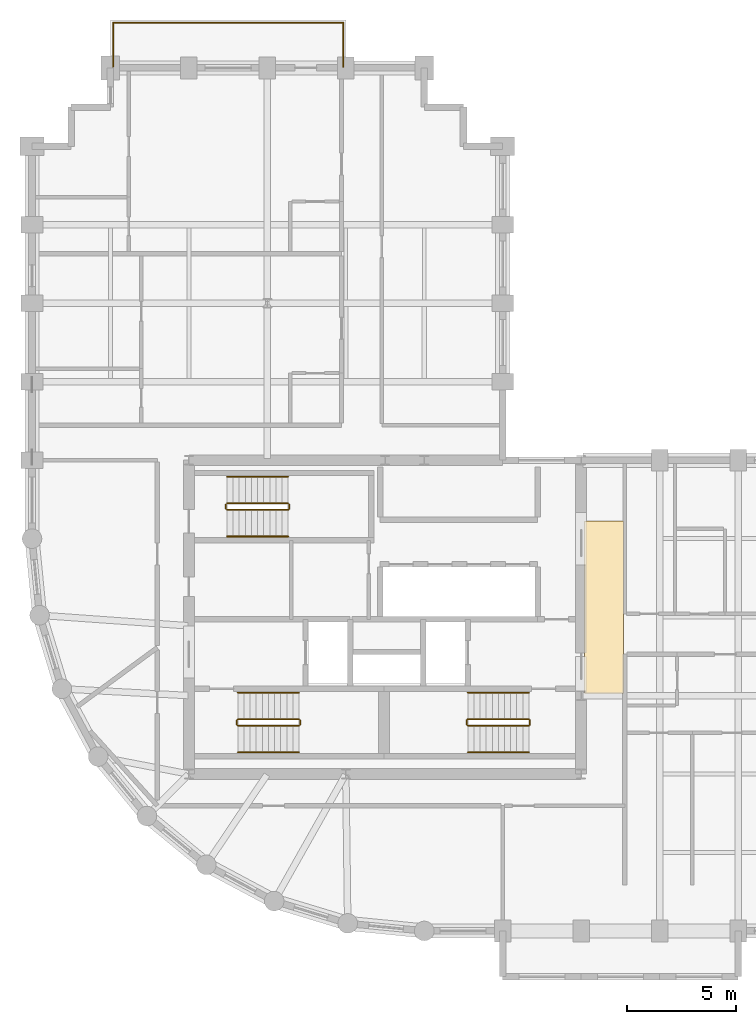
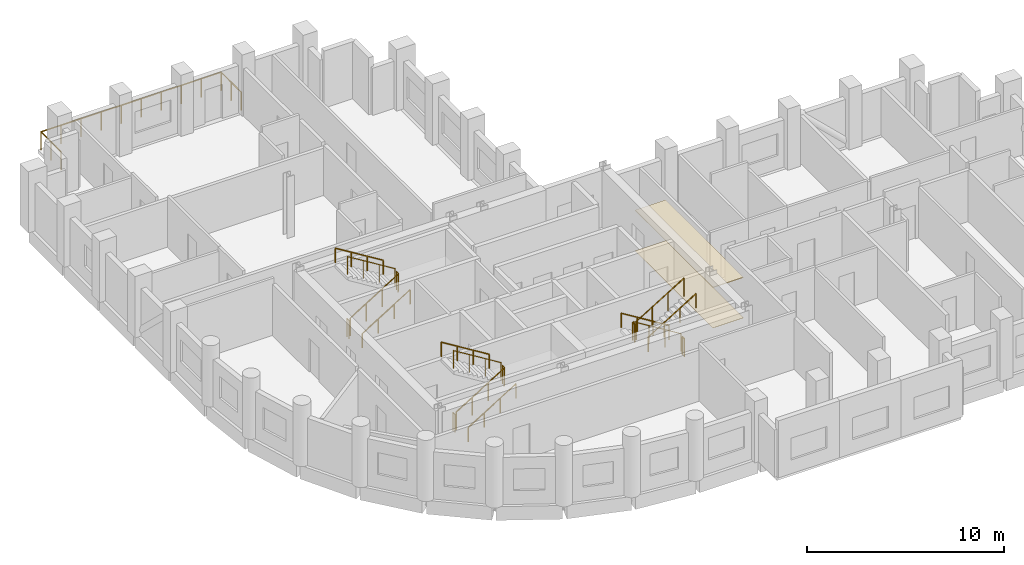
# One storey, part 9 of 9: 21 railings, 2 coverings.
"""IFC4 building model written with IfcOpenShell, lengths in metres."""

import ifcopenshell
import ifcopenshell.guid

model = None  # the IFC model being written
_history = None  # IfcOwnerHistory: only IFC2X3 demands one
_inside = {}  # id of a spatial element -> (the spatial element, [elements in it])
_under = {}  # id of a project, library or spatial element -> (it, [spatial elements below it])
_declared = {}  # id of a project -> (the project, [libraries it declares])
_typed = {}  # id of a type object -> (the type object, [elements of that type])
_made_of = {}  # id of a material, layer set ... -> (it, [elements and type objects made of it])


def new_model(schema):
    """Start an empty IFC model of exactly this schema.

    Asked for "IFC4X3", IfcOpenShell would pick the latest addendum, in which some entities
    have other attributes; the version numbers below select the first issue.
    IFC2X3 requires an IfcOwnerHistory on every rooted entity: one is made here for all.
    """
    global model, _history
    if schema == "IFC4X3":
        model = ifcopenshell.file(schema_version=(4, 3, 0, 0))
    else:
        model = ifcopenshell.file(schema=schema)
    _inside.clear()
    _under.clear()
    _declared.clear()
    _typed.clear()
    _made_of.clear()
    _history = None
    if model.schema == "IFC2X3":
        org = make("IfcOrganization", Name="unknown")
        user = make(
            "IfcPersonAndOrganization",
            ThePerson=make("IfcPerson", FamilyName="unknown"),
            TheOrganization=org,
        )
        app = make(
            "IfcApplication",
            ApplicationDeveloper=org,
            Version="unknown",
            ApplicationFullName="unknown",
            ApplicationIdentifier="unknown",
        )
        _history = make(
            "IfcOwnerHistory",
            OwningUser=user,
            OwningApplication=app,
            ChangeAction="ADDED",
            CreationDate=0,
        )
    return model


def make(cls, **values):
    """One entity of the class cls with the attributes given. An attribute that is None is left unset."""
    return model.create_entity(
        cls, **{name: value for name, value in values.items() if value is not None}
    )


def rooted(cls, **values):
    """An entity with a GlobalId (a new one), such as an element, a storey or a relation."""
    return make(cls, GlobalId=ifcopenshell.guid.new(), OwnerHistory=_history, **values)


def si_unit(unit_type, name, prefix=None):
    """IfcSIUnit, for example si_unit("LENGTHUNIT", "METRE", prefix="MILLI")."""
    return make("IfcSIUnit", UnitType=unit_type, Prefix=prefix, Name=name)


def assignment(units):
    """IfcUnitAssignment: the units of a project."""
    return None if units is None else make("IfcUnitAssignment", Units=units)


def point(xyz):
    """IfcCartesianPoint."""
    return None if xyz is None else make("IfcCartesianPoint", Coordinates=xyz)


def direction(xyz):
    """IfcDirection."""
    return None if xyz is None else make("IfcDirection", DirectionRatios=xyz)


def frame(location, z_axis=None, x_axis=None):
    """IfcAxis2Placement3D, a coordinate frame: its origin and axes. An axis left out is left unset."""
    return make(
        "IfcAxis2Placement3D",
        Location=point(location),
        Axis=direction(z_axis),
        RefDirection=direction(x_axis),
    )


def frame_2d(location, x_axis=None):
    """IfcAxis2Placement2D, a coordinate frame in the plane: its origin and x axis."""
    return make(
        "IfcAxis2Placement2D", Location=point(location), RefDirection=direction(x_axis)
    )


def origin():
    """The frame at (0, 0, 0) with its axes left unset."""
    return frame((0.0, 0.0, 0.0))


def origin_2d():
    """The frame at (0, 0) in the plane with its x axis left unset."""
    return frame_2d((0.0, 0.0))


def place(relative_to, where):
    """IfcLocalPlacement: puts the frame where relative to a parent placement (None: the world)."""
    return make(
        "IfcLocalPlacement", PlacementRelTo=relative_to, RelativePlacement=where
    )


def context(
    kind, dimensions, precision=None, world=None, true_north=None, identifier=None
):
    """IfcGeometricRepresentationContext, for example the 3D "Model" context."""
    return make(
        "IfcGeometricRepresentationContext",
        ContextIdentifier=identifier,
        ContextType=kind,
        CoordinateSpaceDimension=dimensions,
        Precision=precision,
        WorldCoordinateSystem=world,
        TrueNorth=true_north,
    )


def subcontext(parent, identifier, kind, view, scale=None):
    """IfcGeometricRepresentationSubContext, for example "Body" below "Model"."""
    return make(
        "IfcGeometricRepresentationSubContext",
        ContextIdentifier=identifier,
        ContextType=kind,
        ParentContext=parent,
        TargetScale=scale,
        TargetView=view,
    )


def project(units=None, contexts=None):
    """IfcProject with its units and contexts."""
    return rooted(
        "IfcProject",
        Name="project",
        RepresentationContexts=contexts,
        UnitsInContext=assignment(units),
    )


def spatial(cls, under=None, at=None, **own):
    """A site, building, storey or space (cls), placed at a placement, below another one or the project."""
    s = rooted(cls, ObjectPlacement=at, **own)
    if under is not None:
        _under.setdefault(under.id(), (under, []))[1].append(s)
    return s


def polyline(points):
    """IfcPolyline through the points."""
    return make("IfcPolyline", Points=[point(p) for p in points])


def profile(cls, at=None, kind="AREA", **sizes):
    """A parametric profile (cls). Its sizes go by their IFC names, for example OverallWidth=200.0."""
    return make(cls, ProfileType=kind, Position=at, **sizes)


def circle(**sizes):
    """IfcCircleProfileDef."""
    return profile("IfcCircleProfileDef", **sizes)


def outline(outer, holes=None, kind="AREA"):
    """IfcArbitraryClosedProfileDef: a profile drawn as a closed curve; with holes, ...WithVoids."""
    if holes is None:
        return make("IfcArbitraryClosedProfileDef", ProfileType=kind, OuterCurve=outer)
    return make(
        "IfcArbitraryProfileDefWithVoids",
        ProfileType=kind,
        OuterCurve=outer,
        InnerCurves=holes,
    )


def extrude(swept, where, along, depth):
    """IfcExtrudedAreaSolid: the profile swept, set in the frame where, extruded along a direction by depth."""
    return make(
        "IfcExtrudedAreaSolid",
        SweptArea=swept,
        Position=where,
        ExtrudedDirection=direction(along),
        Depth=depth,
    )


def shape(context_of_items, identifier, shape_type, items):
    """IfcShapeRepresentation: the items that make up one representation, for example the "Body"."""
    return make(
        "IfcShapeRepresentation",
        ContextOfItems=context_of_items,
        RepresentationIdentifier=identifier,
        RepresentationType=shape_type,
        Items=items,
    )


def material(Name=None, Category=None):
    """IfcMaterial."""
    return make("IfcMaterial", Name=Name, Category=Category)


def layer(
    of_material, thickness, ventilated=None, Name=None, Category=None, Priority=None
):
    """IfcMaterialLayer: one layer of a wall or slab, of a material (None: an air gap)."""
    return make(
        "IfcMaterialLayer",
        Material=of_material,
        LayerThickness=thickness,
        IsVentilated=ventilated,
        Name=Name,
        Category=Category,
        Priority=Priority,
    )


def layer_set(layers, Name=None):
    """IfcMaterialLayerSet."""
    return make("IfcMaterialLayerSet", MaterialLayers=layers, LayerSetName=Name)


def made_of(thing, what):
    """Note that an element or type object is made of a material, layer set ...; save() writes the relation."""
    if what is not None:
        _made_of.setdefault(what.id(), (what, []))[1].append(thing)
    return thing


def type_object(cls, material=None, **own):
    """A type object (cls), such as IfcWallType, which elements share."""
    return made_of(rooted(cls, **own), material)


def element(
    cls,
    number,
    at=None,
    inside=None,
    cuts=None,
    type_object=None,
    material=None,
    context=None,
    identifier="Body",
    shape_type=None,
    held_by="IfcProductDefinitionShape",
    body=None,
    shapes=None,
    **own,
):
    """One element of the class cls, such as IfcWall. Its Tag is "e" and its number.

    at: its placement. inside: the storey or other place that contains it. cuts: it is an
    opening in that element (IfcRelVoidsElement). A single representation is given by context,
    identifier, shape_type and body (its items); several are given by shapes. held_by: the class
    of the entity that holds the representations. save() writes the other relations.
    """
    e = rooted(cls, Tag="e%d" % number, ObjectPlacement=at, **own)
    if body is not None:
        shapes = [shape(context, identifier, shape_type, body)]
    if shapes is not None:
        e.Representation = make(held_by, Representations=shapes)
    if inside is not None:
        _inside.setdefault(inside.id(), (inside, []))[1].append(e)
    if cuts is not None:
        rooted(
            "IfcRelVoidsElement", RelatingBuildingElement=cuts, RelatedOpeningElement=e
        )
    if type_object is not None:
        _typed.setdefault(type_object.id(), (type_object, []))[1].append(e)
    return made_of(e, material)


def aggregate(whole, parts):
    """IfcRelAggregates: a whole, such as a stair, and the parts it consists of."""
    return rooted("IfcRelAggregates", RelatingObject=whole, RelatedObjects=parts)


def save(model, path):
    """Write the relations noted so far, then the file.

    IfcRelAggregates (storeys below a building ...), IfcRelContainedInSpatialStructure (elements
    in a storey), IfcRelDefinesByType, IfcRelAssociatesMaterial and IfcRelDeclares: one each for
    every whole, place, type object, material and project.
    """
    for whole, parts in _under.values():
        aggregate(whole, parts)
    for where, things in _inside.values():
        rooted(
            "IfcRelContainedInSpatialStructure",
            RelatedElements=things,
            RelatingStructure=where,
        )
    for kind, things in _typed.values():
        rooted("IfcRelDefinesByType", RelatedObjects=things, RelatingType=kind)
    for what, things in _made_of.values():
        rooted("IfcRelAssociatesMaterial", RelatedObjects=things, RelatingMaterial=what)
    for by, libraries in _declared.values():
        rooted("IfcRelDeclares", RelatingContext=by, RelatedDefinitions=libraries)
    model.write(path)


model = new_model("IFC4")

# Units and contexts
model_context = context("Model", 3, precision=1e-05, world=origin(), true_north=direction((0.0, 1.0)))
body_context = subcontext(model_context, "Body", "Model", "MODEL_VIEW")
ifc_project = project(units=[si_unit("LENGTHUNIT", "METRE"), si_unit("AREAUNIT", "SQUARE_METRE"), si_unit("VOLUMEUNIT", "CUBIC_METRE"), si_unit("PLANEANGLEUNIT", "RADIAN"), si_unit("MASSUNIT", "GRAM", prefix="KILO")], contexts=[model_context])

# Site, building, storey
site_placement = place(None, origin())
site = spatial("IfcSite", under=ifc_project, at=site_placement, CompositionType="ELEMENT")
building_placement = place(site_placement, origin())
building = spatial("IfcBuilding", under=site, at=building_placement, Name="Solnavia Interchange Tower", CompositionType="ELEMENT")
storey_placement = place(building_placement, frame((0.0, 0.0, 131.39990234375)))
storey = spatial("IfcBuildingStorey", under=building, at=storey_placement, Name="L32", CompositionType="ELEMENT", Elevation=131.39990234375)

# Coverings
ifc_material_1 = material(Name="Perforated Mineral-Fibre & Gypsum Ceiling", Category="gypsum")
ifc_layer_1 = layer(ifc_material_1, 0.0400390625)
ifc_layer_set_1 = layer_set([ifc_layer_1], Name="Perforated Mineral-Fibre & Gypsum Ceiling")
covering_type_1 = type_object("IfcCoveringType", Name="Covering-Ceiling-Acoustic40", PredefinedType="CEILING", material=ifc_layer_set_1)
covering_1_placement = place(storey_placement, frame((0.0, 0.0, 2.5)))
element("IfcCovering", 1, at=covering_1_placement, inside=storey, type_object=covering_type_1, Name="CLG-L32-01 Circulation suspended acoustic ceiling", PredefinedType="CEILING", context=body_context, shape_type="SweptSolid", body=[
    extrude(outline(polyline([(32.550048828125, 14.5), (34.35009765625, 14.5), (34.35009765625, 22.39990234375), (32.550048828125, 22.39990234375), (32.550048828125, 14.5)])), origin(), (0.0, 0.0, 1.0), 0.0400390625),
])
ifc_material_2 = material(Name="Engineered European Oak Flooring", Category="wood")
ifc_layer_2 = layer(ifc_material_2, 0.02001953125)
ifc_layer_set_2 = layer_set([ifc_layer_2], Name="Engineered European Oak Flooring")
covering_type_2 = type_object("IfcCoveringType", Name="Covering-Flooring-Timber20", PredefinedType="FLOORING", material=ifc_layer_set_2)
covering_2_placement = place(storey_placement, origin())
element("IfcCovering", 2, at=covering_2_placement, inside=storey, type_object=covering_type_2, Name="FLR-L32-01 Circulation floor finish", PredefinedType="FLOORING", context=body_context, shape_type="SweptSolid", body=[
    extrude(outline(polyline([(32.550048828125, 14.5), (34.35009765625, 14.5), (34.35009765625, 22.39990234375), (32.550048828125, 22.39990234375), (32.550048828125, 14.5)])), origin(), (0.0, 0.0, 1.0), 0.02001953125),
])

# Railings
ifc_material_3 = material(Name="Painted Steel Balustrade", Category="steel")
railing_type_1 = type_object("IfcRailingType", Name="Railing-StairGuard-1100", PredefinedType="GUARDRAIL", material=ifc_material_3)
railing_1_placement = place(storey_placement, frame((16.64990234375, 13.02001953125, 0.1728515625)))
element("IfcRailing", 3, at=railing_1_placement, inside=storey, type_object=railing_type_1, Name="L32 ST-1 stair guard 1", PredefinedType="GUARDRAIL", context=body_context, shape_type="SweptSolid", body=[
    extrude(circle(Radius=0.02392578125, at=origin_2d()), frame((0.0, 0.0, 1.09619140625), z_axis=(0.851089632645, 0.0, 0.525020415988), x_axis=(0.0, 1.0, 0.0)), (0.0, 0.0, 1.0), 3.2900390625),
    extrude(circle(Radius=0.02099609375, at=origin_2d()), origin(), (0.0, 0.0, 1.0), 1.072021484375),
    extrude(circle(Radius=0.02099609375, at=origin_2d()), frame((0.933349609375, 0.0, 0.57568359375)), (0.0, 0.0, 1.0), 1.072021484375),
    extrude(circle(Radius=0.02099609375, at=origin_2d()), frame((1.86669921875, 0.0, 1.151611328125)), (0.0, 0.0, 1.0), 1.072021484375),
    extrude(circle(Radius=0.02099609375, at=origin_2d()), frame((2.800048828125, 0.0, 1.727294921875)), (0.0, 0.0, 1.0), 1.072021484375),
])
railing_2_placement = place(storey_placement, frame((19.5, 13.070068359375, 1.900146484375)))
element("IfcRailing", 4, at=railing_2_placement, inside=storey, type_object=railing_type_1, Name="L32 ST-1 stair guard 2", PredefinedType="GUARDRAIL", context=body_context, shape_type="SweptSolid", body=[
    extrude(circle(Radius=0.02392578125, at=origin_2d()), frame((0.0, 0.0, 1.09619140625), z_axis=(0.0, 1.0, 0.0), x_axis=(-1.0, 0.0, 0.0)), (0.0, 0.0, 1.0), 0.199951171875),
    extrude(circle(Radius=0.02099609375, at=origin_2d()), origin(), (0.0, 0.0, 1.0), 1.072021484375),
    extrude(circle(Radius=0.02099609375, at=origin_2d()), frame((0.0, 0.199951171875, 0.0)), (0.0, 0.0, 1.0), 1.072021484375),
])
railing_3_placement = place(storey_placement, frame((19.449951171875, 13.320068359375, 2.07275390625)))
element("IfcRailing", 5, at=railing_3_placement, inside=storey, type_object=railing_type_1, Name="L32 ST-1 stair guard 3", PredefinedType="GUARDRAIL", context=body_context, shape_type="SweptSolid", body=[
    extrude(circle(Radius=0.02392578125, at=origin_2d()), frame((0.0, 0.0, 1.09619140625), z_axis=(-0.851089632645, 0.0, 0.525020415988), x_axis=(0.0, -1.0, 0.0)), (0.0, 0.0, 1.0), 3.2900390625),
    extrude(circle(Radius=0.02099609375, at=origin_2d()), origin(), (0.0, 0.0, 1.0), 1.072021484375),
    extrude(circle(Radius=0.02099609375, at=origin_2d()), frame((-0.933349609375, 0.0, 0.57568359375)), (0.0, 0.0, 1.0), 1.072021484375),
    extrude(circle(Radius=0.02099609375, at=origin_2d()), frame((-1.86669921875, 0.0, 1.151611328125)), (0.0, 0.0, 1.0), 1.072021484375),
    extrude(circle(Radius=0.02099609375, at=origin_2d()), frame((-2.800048828125, 0.0, 1.727294921875)), (0.0, 0.0, 1.0), 1.072021484375),
])
railing_4_placement = place(storey_placement, frame((16.60009765625, 13.070068359375, 0.0)))
element("IfcRailing", 6, at=railing_4_placement, inside=storey, type_object=railing_type_1, Name="L32 ST-1 stair guard 4", PredefinedType="GUARDRAIL", context=body_context, shape_type="SweptSolid", body=[
    extrude(circle(Radius=0.02392578125, at=origin_2d()), frame((0.0, 0.0, 1.09619140625), z_axis=(0.0, 1.0, 0.0), x_axis=(-1.0, 0.0, 0.0)), (0.0, 0.0, 1.0), 0.199951171875),
    extrude(circle(Radius=0.02099609375, at=origin_2d()), origin(), (0.0, 0.0, 1.0), 1.072021484375),
    extrude(circle(Radius=0.02099609375, at=origin_2d()), frame((0.0, 0.199951171875, 0.0)), (0.0, 0.0, 1.0), 1.072021484375),
])
railing_5_placement = place(storey_placement, frame((30.0, 13.320068359375, 0.1728515625)))
element("IfcRailing", 7, at=railing_5_placement, inside=storey, type_object=railing_type_1, Name="L32 ST-2 stair guard 1", PredefinedType="GUARDRAIL", context=body_context, shape_type="SweptSolid", body=[
    extrude(circle(Radius=0.02392578125, at=origin_2d()), frame((0.0, 0.0, 1.09619140625), z_axis=(-0.851089632645, 0.0, 0.525020415988), x_axis=(0.0, -1.0, 0.0)), (0.0, 0.0, 1.0), 3.2900390625),
    extrude(circle(Radius=0.02099609375, at=origin_2d()), origin(), (0.0, 0.0, 1.0), 1.072021484375),
    extrude(circle(Radius=0.02099609375, at=origin_2d()), frame((-0.933349609375, 0.0, 0.57568359375)), (0.0, 0.0, 1.0), 1.072021484375),
    extrude(circle(Radius=0.02099609375, at=origin_2d()), frame((-1.86669921875, 0.0, 1.151611328125)), (0.0, 0.0, 1.0), 1.072021484375),
    extrude(circle(Radius=0.02099609375, at=origin_2d()), frame((-2.800048828125, 0.0, 1.727294921875)), (0.0, 0.0, 1.0), 1.072021484375),
])
railing_6_placement = place(storey_placement, frame((27.14990234375, 13.27001953125, 1.900146484375)))
element("IfcRailing", 8, at=railing_6_placement, inside=storey, type_object=railing_type_1, Name="L32 ST-2 stair guard 2", PredefinedType="GUARDRAIL", context=body_context, shape_type="SweptSolid", body=[
    extrude(circle(Radius=0.02392578125, at=origin_2d()), frame((0.0, 0.0, 1.09619140625), z_axis=(0.0, -1.0, 0.0), x_axis=(1.0, 0.0, 0.0)), (0.0, 0.0, 1.0), 0.199951171875),
    extrude(circle(Radius=0.02099609375, at=origin_2d()), origin(), (0.0, 0.0, 1.0), 1.072021484375),
    extrude(circle(Radius=0.02099609375, at=origin_2d()), frame((0.0, -0.199951171875, 0.0)), (0.0, 0.0, 1.0), 1.072021484375),
])
railing_7_placement = place(storey_placement, frame((27.199951171875, 13.02001953125, 2.07275390625)))
element("IfcRailing", 9, at=railing_7_placement, inside=storey, type_object=railing_type_1, Name="L32 ST-2 stair guard 3", PredefinedType="GUARDRAIL", context=body_context, shape_type="SweptSolid", body=[
    extrude(circle(Radius=0.02392578125, at=origin_2d()), frame((0.0, 0.0, 1.09619140625), z_axis=(0.851089632645, 0.0, 0.525020415988), x_axis=(0.0, 1.0, 0.0)), (0.0, 0.0, 1.0), 3.2900390625),
    extrude(circle(Radius=0.02099609375, at=origin_2d()), origin(), (0.0, 0.0, 1.0), 1.072021484375),
    extrude(circle(Radius=0.02099609375, at=origin_2d()), frame((0.933349609375, 0.0, 0.57568359375)), (0.0, 0.0, 1.0), 1.072021484375),
    extrude(circle(Radius=0.02099609375, at=origin_2d()), frame((1.86669921875, 0.0, 1.151611328125)), (0.0, 0.0, 1.0), 1.072021484375),
    extrude(circle(Radius=0.02099609375, at=origin_2d()), frame((2.800048828125, 0.0, 1.727294921875)), (0.0, 0.0, 1.0), 1.072021484375),
])
railing_8_placement = place(storey_placement, frame((30.050048828125, 13.27001953125, 0.0)))
element("IfcRailing", 10, at=railing_8_placement, inside=storey, type_object=railing_type_1, Name="L32 ST-2 stair guard 4", PredefinedType="GUARDRAIL", context=body_context, shape_type="SweptSolid", body=[
    extrude(circle(Radius=0.02392578125, at=origin_2d()), frame((0.0, 0.0, 1.09619140625), z_axis=(0.0, -1.0, 0.0), x_axis=(1.0, 0.0, 0.0)), (0.0, 0.0, 1.0), 0.199951171875),
    extrude(circle(Radius=0.02099609375, at=origin_2d()), origin(), (0.0, 0.0, 1.0), 1.072021484375),
    extrude(circle(Radius=0.02099609375, at=origin_2d()), frame((0.0, -0.199951171875, 0.0)), (0.0, 0.0, 1.0), 1.072021484375),
])
railing_9_placement = place(storey_placement, frame((16.14990234375, 22.919921875, 0.1728515625)))
element("IfcRailing", 11, at=railing_9_placement, inside=storey, type_object=railing_type_1, Name="L32 ST-3 stair guard 1", PredefinedType="GUARDRAIL", context=body_context, shape_type="SweptSolid", body=[
    extrude(circle(Radius=0.02392578125, at=origin_2d()), frame((0.0, 0.0, 1.09619140625), z_axis=(0.851089632645, 0.0, 0.525020415988), x_axis=(0.0, 1.0, 0.0)), (0.0, 0.0, 1.0), 3.2900390625),
    extrude(circle(Radius=0.02099609375, at=origin_2d()), origin(), (0.0, 0.0, 1.0), 1.072021484375),
    extrude(circle(Radius=0.02099609375, at=origin_2d()), frame((0.933349609375, 0.0, 0.57568359375)), (0.0, 0.0, 1.0), 1.072021484375),
    extrude(circle(Radius=0.02099609375, at=origin_2d()), frame((1.86669921875, 0.0, 1.151611328125)), (0.0, 0.0, 1.0), 1.072021484375),
    extrude(circle(Radius=0.02099609375, at=origin_2d()), frame((2.800048828125, 0.0, 1.727294921875)), (0.0, 0.0, 1.0), 1.072021484375),
])
railing_10_placement = place(storey_placement, frame((19.0, 22.969970703125, 1.900146484375)))
element("IfcRailing", 12, at=railing_10_placement, inside=storey, type_object=railing_type_1, Name="L32 ST-3 stair guard 2", PredefinedType="GUARDRAIL", context=body_context, shape_type="SweptSolid", body=[
    extrude(circle(Radius=0.02392578125, at=origin_2d()), frame((0.0, 0.0, 1.09619140625), z_axis=(0.0, 1.0, 0.0), x_axis=(-1.0, 0.0, 0.0)), (0.0, 0.0, 1.0), 0.199951171875),
    extrude(circle(Radius=0.02099609375, at=origin_2d()), origin(), (0.0, 0.0, 1.0), 1.072021484375),
    extrude(circle(Radius=0.02099609375, at=origin_2d()), frame((0.0, 0.199951171875, 0.0)), (0.0, 0.0, 1.0), 1.072021484375),
])
railing_11_placement = place(storey_placement, frame((18.949951171875, 23.219970703125, 2.07275390625)))
element("IfcRailing", 13, at=railing_11_placement, inside=storey, type_object=railing_type_1, Name="L32 ST-3 stair guard 3", PredefinedType="GUARDRAIL", context=body_context, shape_type="SweptSolid", body=[
    extrude(circle(Radius=0.02392578125, at=origin_2d()), frame((0.0, 0.0, 1.09619140625), z_axis=(-0.851089632645, 0.0, 0.525020415988), x_axis=(0.0, -1.0, 0.0)), (0.0, 0.0, 1.0), 3.2900390625),
    extrude(circle(Radius=0.02099609375, at=origin_2d()), origin(), (0.0, 0.0, 1.0), 1.072021484375),
    extrude(circle(Radius=0.02099609375, at=origin_2d()), frame((-0.933349609375, 0.0, 0.57568359375)), (0.0, 0.0, 1.0), 1.072021484375),
    extrude(circle(Radius=0.02099609375, at=origin_2d()), frame((-1.86669921875, 0.0, 1.151611328125)), (0.0, 0.0, 1.0), 1.072021484375),
    extrude(circle(Radius=0.02099609375, at=origin_2d()), frame((-2.800048828125, 0.0, 1.727294921875)), (0.0, 0.0, 1.0), 1.072021484375),
])
railing_12_placement = place(storey_placement, frame((16.10009765625, 22.969970703125, 0.0)))
element("IfcRailing", 14, at=railing_12_placement, inside=storey, type_object=railing_type_1, Name="L32 ST-3 stair guard 4", PredefinedType="GUARDRAIL", context=body_context, shape_type="SweptSolid", body=[
    extrude(circle(Radius=0.02392578125, at=origin_2d()), frame((0.0, 0.0, 1.09619140625), z_axis=(0.0, 1.0, 0.0), x_axis=(-1.0, 0.0, 0.0)), (0.0, 0.0, 1.0), 0.199951171875),
    extrude(circle(Radius=0.02099609375, at=origin_2d()), origin(), (0.0, 0.0, 1.0), 1.072021484375),
    extrude(circle(Radius=0.02099609375, at=origin_2d()), frame((0.0, 0.199951171875, 0.0)), (0.0, 0.0, 1.0), 1.072021484375),
])
ifc_material_4 = material(Name="Brushed Stainless Steel", Category="steel")
railing_type_2 = type_object("IfcRailingType", Name="Railing-StairHandrail-900", PredefinedType="HANDRAIL", material=ifc_material_4)
railing_13_placement = place(storey_placement, frame((16.64990234375, 11.800048828125, 0.1728515625)))
element("IfcRailing", 15, at=railing_13_placement, inside=storey, type_object=railing_type_2, Name="L32 ST-1 stair handrail 1", PredefinedType="HANDRAIL", context=body_context, shape_type="SweptSolid", body=[
    extrude(circle(Radius=0.02392578125, at=origin_2d()), frame((0.0, 0.0, 0.8759765625), z_axis=(0.851089632645, 0.0, 0.525020415988), x_axis=(0.0, 1.0, 0.0)), (0.0, 0.0, 1.0), 3.2900390625),
    extrude(circle(Radius=0.02099609375, at=origin_2d()), origin(), (0.0, 0.0, 1.0), 0.851806640625),
    extrude(circle(Radius=0.02099609375, at=origin_2d()), frame((0.933349609375, 0.0, 0.57568359375)), (0.0, 0.0, 1.0), 0.851806640625),
    extrude(circle(Radius=0.02099609375, at=origin_2d()), frame((1.86669921875, 0.0, 1.151611328125)), (0.0, 0.0, 1.0), 0.851806640625),
    extrude(circle(Radius=0.02099609375, at=origin_2d()), frame((2.800048828125, 0.0, 1.727294921875)), (0.0, 0.0, 1.0), 0.851806640625),
])
for number, where, name in (
    (16, (19.449951171875, 14.5400390625, 2.07275390625), "L32 ST-1 stair handrail 2"),
    (17, (30.0, 14.5400390625, 0.1728515625), "L32 ST-2 stair handrail 1"),
):
    element("IfcRailing", number, at=place(storey_placement, frame(where)), inside=storey, type_object=railing_type_2, Name=name, PredefinedType="HANDRAIL", context=body_context, shape_type="SweptSolid", body=[
        extrude(circle(Radius=0.02392578125, at=origin_2d()), frame((0.0, 0.0, 0.8759765625), z_axis=(-0.851089632645, 0.0, 0.525020415988), x_axis=(0.0, -1.0, 0.0)), (0.0, 0.0, 1.0), 3.2900390625),
        extrude(circle(Radius=0.02099609375, at=origin_2d()), origin(), (0.0, 0.0, 1.0), 0.851806640625),
        extrude(circle(Radius=0.02099609375, at=origin_2d()), frame((-0.933349609375, 0.0, 0.57568359375)), (0.0, 0.0, 1.0), 0.851806640625),
        extrude(circle(Radius=0.02099609375, at=origin_2d()), frame((-1.86669921875, 0.0, 1.151611328125)), (0.0, 0.0, 1.0), 0.851806640625),
        extrude(circle(Radius=0.02099609375, at=origin_2d()), frame((-2.800048828125, 0.0, 1.727294921875)), (0.0, 0.0, 1.0), 0.851806640625),
    ])
for number, where, name in (
    (18, (27.199951171875, 11.800048828125, 2.07275390625), "L32 ST-2 stair handrail 2"),
    (19, (16.14990234375, 21.699951171875, 0.1728515625), "L32 ST-3 stair handrail 1"),
):
    element("IfcRailing", number, at=place(storey_placement, frame(where)), inside=storey, type_object=railing_type_2, Name=name, PredefinedType="HANDRAIL", context=body_context, shape_type="SweptSolid", body=[
        extrude(circle(Radius=0.02392578125, at=origin_2d()), frame((0.0, 0.0, 0.8759765625), z_axis=(0.851089632645, 0.0, 0.525020415988), x_axis=(0.0, 1.0, 0.0)), (0.0, 0.0, 1.0), 3.2900390625),
        extrude(circle(Radius=0.02099609375, at=origin_2d()), origin(), (0.0, 0.0, 1.0), 0.851806640625),
        extrude(circle(Radius=0.02099609375, at=origin_2d()), frame((0.933349609375, 0.0, 0.57568359375)), (0.0, 0.0, 1.0), 0.851806640625),
        extrude(circle(Radius=0.02099609375, at=origin_2d()), frame((1.86669921875, 0.0, 1.151611328125)), (0.0, 0.0, 1.0), 0.851806640625),
        extrude(circle(Radius=0.02099609375, at=origin_2d()), frame((2.800048828125, 0.0, 1.727294921875)), (0.0, 0.0, 1.0), 0.851806640625),
    ])
railing_14_placement = place(storey_placement, frame((18.949951171875, 24.43994140625, 2.07275390625)))
element("IfcRailing", 20, at=railing_14_placement, inside=storey, type_object=railing_type_2, Name="L32 ST-3 stair handrail 2", PredefinedType="HANDRAIL", context=body_context, shape_type="SweptSolid", body=[
    extrude(circle(Radius=0.02392578125, at=origin_2d()), frame((0.0, 0.0, 0.8759765625), z_axis=(-0.851089632645, 0.0, 0.525020415988), x_axis=(0.0, -1.0, 0.0)), (0.0, 0.0, 1.0), 3.2900390625),
    extrude(circle(Radius=0.02099609375, at=origin_2d()), origin(), (0.0, 0.0, 1.0), 0.851806640625),
    extrude(circle(Radius=0.02099609375, at=origin_2d()), frame((-0.933349609375, 0.0, 0.57568359375)), (0.0, 0.0, 1.0), 0.851806640625),
    extrude(circle(Radius=0.02099609375, at=origin_2d()), frame((-1.86669921875, 0.0, 1.151611328125)), (0.0, 0.0, 1.0), 0.851806640625),
    extrude(circle(Radius=0.02099609375, at=origin_2d()), frame((-2.800048828125, 0.0, 1.727294921875)), (0.0, 0.0, 1.0), 0.851806640625),
])
ifc_material_5 = material(Name="Laminated Safety Glass & Stainless Steel", Category="steel")
railing_type_3 = type_object("IfcRailingType", Name="Railing-TerraceGuard-1150", PredefinedType="GUARDRAIL", material=ifc_material_5)
railing_15_placement = place(storey_placement, frame((10.919921875, 43.25, -0.039794921875)))
element("IfcRailing", 21, at=railing_15_placement, inside=storey, type_object=railing_type_3, Name="GRD-L32-TER-01 Perimeter terrace guardrail", PredefinedType="GUARDRAIL", context=body_context, shape_type="SweptSolid", body=[
    extrude(circle(Radius=0.02392578125, at=origin_2d()), frame((0.0, 0.0, 1.1259765625), z_axis=(0.0, 1.0, 0.0), x_axis=(-1.0, 0.0, 0.0)), (0.0, 0.0, 1.0), 2.030029296875),
    extrude(circle(Radius=0.02099609375, at=origin_2d()), origin(), (0.0, 0.0, 1.0), 1.101806640625),
    extrude(circle(Radius=0.02099609375, at=origin_2d()), frame((0.0, 1.01513671875, 0.0)), (0.0, 0.0, 1.0), 1.101806640625),
    extrude(circle(Radius=0.02099609375, at=origin_2d()), frame((0.0, 2.030029296875, 0.0)), (0.0, 0.0, 1.0), 1.101806640625),
])
railing_16_placement = place(storey_placement, frame((10.919921875, 45.280029296875, -0.039794921875)))
element("IfcRailing", 22, at=railing_16_placement, inside=storey, type_object=railing_type_3, Name="GRD-L32-TER-02 Perimeter terrace guardrail", PredefinedType="GUARDRAIL", context=body_context, shape_type="SweptSolid", body=[
    extrude(circle(Radius=0.02392578125, at=origin_2d()), frame((0.0, 0.0, 1.1259765625), z_axis=(1.0, 0.0, 0.0), x_axis=(0.0, 1.0, 0.0)), (0.0, 0.0, 1.0), 10.56005859375),
    extrude(circle(Radius=0.02099609375, at=origin_2d()), origin(), (0.0, 0.0, 1.0), 1.101806640625),
    extrude(circle(Radius=0.02099609375, at=origin_2d()), frame((1.17333984375, 0.0, 0.0)), (0.0, 0.0, 1.0), 1.101806640625),
    extrude(circle(Radius=0.02099609375, at=origin_2d()), frame((2.3466796875, 0.0, 0.0)), (0.0, 0.0, 1.0), 1.101806640625),
    extrude(circle(Radius=0.02099609375, at=origin_2d()), frame((3.52001953125, 0.0, 0.0)), (0.0, 0.0, 1.0), 1.101806640625),
    extrude(circle(Radius=0.02099609375, at=origin_2d()), frame((4.693359375, 0.0, 0.0)), (0.0, 0.0, 1.0), 1.101806640625),
    extrude(circle(Radius=0.02099609375, at=origin_2d()), frame((5.86669921875, 0.0, 0.0)), (0.0, 0.0, 1.0), 1.101806640625),
    extrude(circle(Radius=0.02099609375, at=origin_2d()), frame((7.0400390625, 0.0, 0.0)), (0.0, 0.0, 1.0), 1.101806640625),
    extrude(circle(Radius=0.02099609375, at=origin_2d()), frame((8.21337890625, 0.0, 0.0)), (0.0, 0.0, 1.0), 1.101806640625),
    extrude(circle(Radius=0.02099609375, at=origin_2d()), frame((9.38671875, 0.0, 0.0)), (0.0, 0.0, 1.0), 1.101806640625),
    extrude(circle(Radius=0.02099609375, at=origin_2d()), frame((10.56005859375, 0.0, 0.0)), (0.0, 0.0, 1.0), 1.101806640625),
])
railing_17_placement = place(storey_placement, frame((21.47998046875, 45.280029296875, -0.039794921875)))
element("IfcRailing", 23, at=railing_17_placement, inside=storey, type_object=railing_type_3, Name="GRD-L32-TER-03 Perimeter terrace guardrail", PredefinedType="GUARDRAIL", context=body_context, shape_type="SweptSolid", body=[
    extrude(circle(Radius=0.02392578125, at=origin_2d()), frame((0.0, 0.0, 1.1259765625), z_axis=(0.0, -1.0, 0.0), x_axis=(1.0, 0.0, 0.0)), (0.0, 0.0, 1.0), 2.030029296875),
    extrude(circle(Radius=0.02099609375, at=origin_2d()), origin(), (0.0, 0.0, 1.0), 1.101806640625),
    extrude(circle(Radius=0.02099609375, at=origin_2d()), frame((0.0, -1.01513671875, 0.0)), (0.0, 0.0, 1.0), 1.101806640625),
    extrude(circle(Radius=0.02099609375, at=origin_2d()), frame((0.0, -2.030029296875, 0.0)), (0.0, 0.0, 1.0), 1.101806640625),
])

save(model, "model.ifc")
